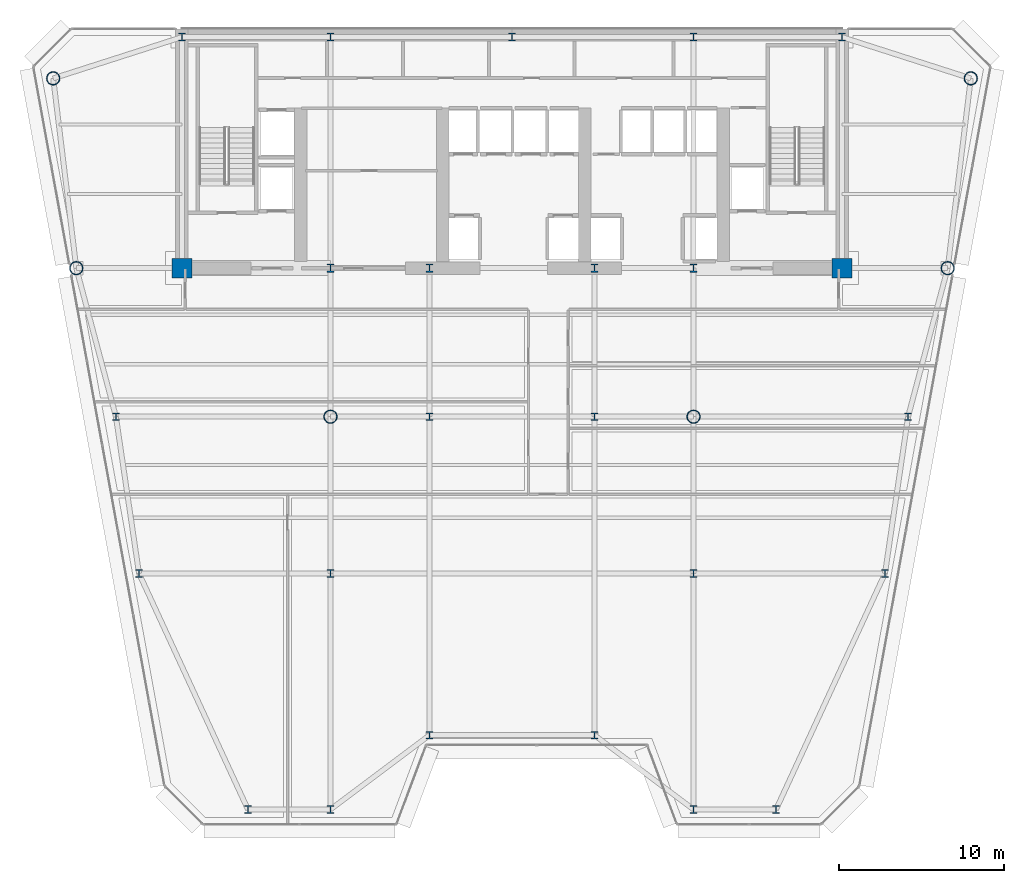
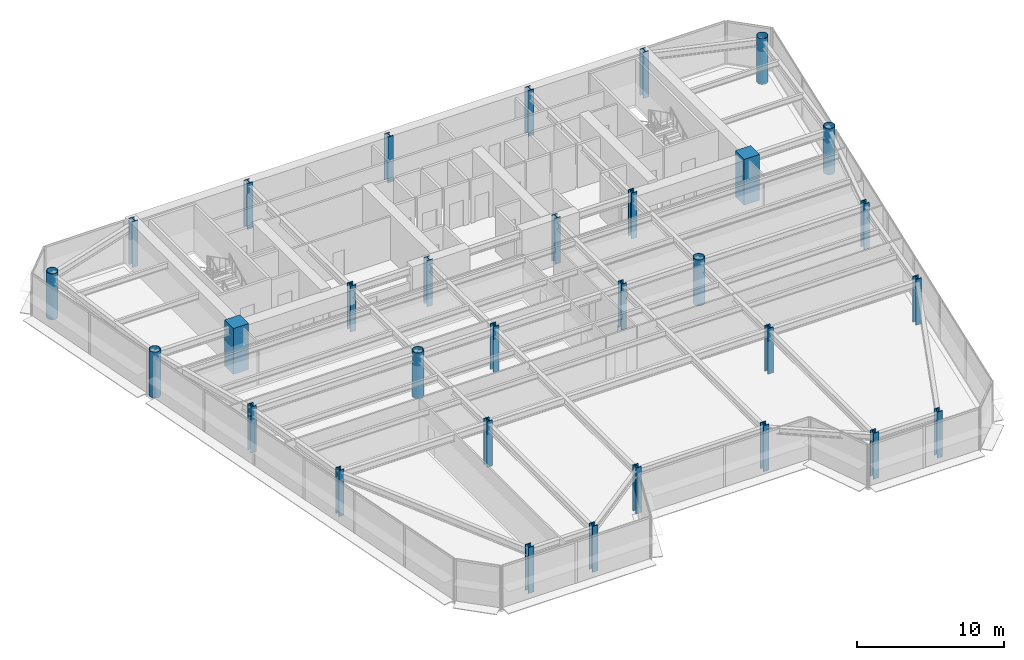
# One storey, part 1 of 17: 31 columns.
"""IFC4 building model written with IfcOpenShell, lengths in metres."""

import ifcopenshell
import ifcopenshell.guid

model = None  # the IFC model being written
_history = None  # IfcOwnerHistory: only IFC2X3 demands one
_inside = {}  # id of a spatial element -> (the spatial element, [elements in it])
_under = {}  # id of a project, library or spatial element -> (it, [spatial elements below it])
_declared = {}  # id of a project -> (the project, [libraries it declares])
_typed = {}  # id of a type object -> (the type object, [elements of that type])
_made_of = {}  # id of a material, layer set ... -> (it, [elements and type objects made of it])


def new_model(schema):
    """Start an empty IFC model of exactly this schema.

    Asked for "IFC4X3", IfcOpenShell would pick the latest addendum, in which some entities
    have other attributes; the version numbers below select the first issue.
    IFC2X3 requires an IfcOwnerHistory on every rooted entity: one is made here for all.
    """
    global model, _history
    if schema == "IFC4X3":
        model = ifcopenshell.file(schema_version=(4, 3, 0, 0))
    else:
        model = ifcopenshell.file(schema=schema)
    _inside.clear()
    _under.clear()
    _declared.clear()
    _typed.clear()
    _made_of.clear()
    _history = None
    if model.schema == "IFC2X3":
        org = make("IfcOrganization", Name="unknown")
        user = make(
            "IfcPersonAndOrganization",
            ThePerson=make("IfcPerson", FamilyName="unknown"),
            TheOrganization=org,
        )
        app = make(
            "IfcApplication",
            ApplicationDeveloper=org,
            Version="unknown",
            ApplicationFullName="unknown",
            ApplicationIdentifier="unknown",
        )
        _history = make(
            "IfcOwnerHistory",
            OwningUser=user,
            OwningApplication=app,
            ChangeAction="ADDED",
            CreationDate=0,
        )
    return model


def make(cls, **values):
    """One entity of the class cls with the attributes given. An attribute that is None is left unset."""
    return model.create_entity(
        cls, **{name: value for name, value in values.items() if value is not None}
    )


def rooted(cls, **values):
    """An entity with a GlobalId (a new one), such as an element, a storey or a relation."""
    return make(cls, GlobalId=ifcopenshell.guid.new(), OwnerHistory=_history, **values)


def si_unit(unit_type, name, prefix=None):
    """IfcSIUnit, for example si_unit("LENGTHUNIT", "METRE", prefix="MILLI")."""
    return make("IfcSIUnit", UnitType=unit_type, Prefix=prefix, Name=name)


def assignment(units):
    """IfcUnitAssignment: the units of a project."""
    return None if units is None else make("IfcUnitAssignment", Units=units)


def point(xyz):
    """IfcCartesianPoint."""
    return None if xyz is None else make("IfcCartesianPoint", Coordinates=xyz)


def direction(xyz):
    """IfcDirection."""
    return None if xyz is None else make("IfcDirection", DirectionRatios=xyz)


def frame(location, z_axis=None, x_axis=None):
    """IfcAxis2Placement3D, a coordinate frame: its origin and axes. An axis left out is left unset."""
    return make(
        "IfcAxis2Placement3D",
        Location=point(location),
        Axis=direction(z_axis),
        RefDirection=direction(x_axis),
    )


def frame_2d(location, x_axis=None):
    """IfcAxis2Placement2D, a coordinate frame in the plane: its origin and x axis."""
    return make(
        "IfcAxis2Placement2D", Location=point(location), RefDirection=direction(x_axis)
    )


def origin():
    """The frame at (0, 0, 0) with its axes left unset."""
    return frame((0.0, 0.0, 0.0))


def origin_2d():
    """The frame at (0, 0) in the plane with its x axis left unset."""
    return frame_2d((0.0, 0.0))


def place(relative_to, where):
    """IfcLocalPlacement: puts the frame where relative to a parent placement (None: the world)."""
    return make(
        "IfcLocalPlacement", PlacementRelTo=relative_to, RelativePlacement=where
    )


def context(
    kind, dimensions, precision=None, world=None, true_north=None, identifier=None
):
    """IfcGeometricRepresentationContext, for example the 3D "Model" context."""
    return make(
        "IfcGeometricRepresentationContext",
        ContextIdentifier=identifier,
        ContextType=kind,
        CoordinateSpaceDimension=dimensions,
        Precision=precision,
        WorldCoordinateSystem=world,
        TrueNorth=true_north,
    )


def subcontext(parent, identifier, kind, view, scale=None):
    """IfcGeometricRepresentationSubContext, for example "Body" below "Model"."""
    return make(
        "IfcGeometricRepresentationSubContext",
        ContextIdentifier=identifier,
        ContextType=kind,
        ParentContext=parent,
        TargetScale=scale,
        TargetView=view,
    )


def project(units=None, contexts=None):
    """IfcProject with its units and contexts."""
    return rooted(
        "IfcProject",
        Name="project",
        RepresentationContexts=contexts,
        UnitsInContext=assignment(units),
    )


def spatial(cls, under=None, at=None, **own):
    """A site, building, storey or space (cls), placed at a placement, below another one or the project."""
    s = rooted(cls, ObjectPlacement=at, **own)
    if under is not None:
        _under.setdefault(under.id(), (under, []))[1].append(s)
    return s


def profile(cls, at=None, kind="AREA", **sizes):
    """A parametric profile (cls). Its sizes go by their IFC names, for example OverallWidth=200.0."""
    return make(cls, ProfileType=kind, Position=at, **sizes)


def rectangle(**sizes):
    """IfcRectangleProfileDef."""
    return profile("IfcRectangleProfileDef", **sizes)


def hollow_circle(**sizes):
    """IfcCircleHollowProfileDef."""
    return profile("IfcCircleHollowProfileDef", **sizes)


def i_section(**sizes):
    """IfcIShapeProfileDef."""
    return profile("IfcIShapeProfileDef", **sizes)


def extrude(swept, where, along, depth):
    """IfcExtrudedAreaSolid: the profile swept, set in the frame where, extruded along a direction by depth."""
    return make(
        "IfcExtrudedAreaSolid",
        SweptArea=swept,
        Position=where,
        ExtrudedDirection=direction(along),
        Depth=depth,
    )


def shape(context_of_items, identifier, shape_type, items):
    """IfcShapeRepresentation: the items that make up one representation, for example the "Body"."""
    return make(
        "IfcShapeRepresentation",
        ContextOfItems=context_of_items,
        RepresentationIdentifier=identifier,
        RepresentationType=shape_type,
        Items=items,
    )


def source(mapping_origin, context_of_items, identifier, shape_type, items):
    """IfcRepresentationMap: a shape defined once, which mapped items show again and again."""
    return make(
        "IfcRepresentationMap",
        MappingOrigin=mapping_origin,
        MappedRepresentation=shape(context_of_items, identifier, shape_type, items),
    )


def transform(
    local_origin,
    x_axis=None,
    y_axis=None,
    z_axis=None,
    scale=None,
    scale2=None,
    scale3=None,
    uniform=True,
):
    """IfcCartesianTransformationOperator3D, or its non-uniform kind. x_axis, y_axis, z_axis: its Axis1, 2, 3."""
    if uniform:
        return make(
            "IfcCartesianTransformationOperator3D",
            Axis1=direction(x_axis),
            Axis2=direction(y_axis),
            LocalOrigin=point(local_origin),
            Scale=scale,
            Axis3=direction(z_axis),
        )
    return make(
        "IfcCartesianTransformationOperator3DnonUniform",
        Axis1=direction(x_axis),
        Axis2=direction(y_axis),
        LocalOrigin=point(local_origin),
        Scale=scale,
        Axis3=direction(z_axis),
        Scale2=scale2,
        Scale3=scale3,
    )


def mapped(mapping_source, mapping_target):
    """IfcMappedItem: shows the shape of a source again, moved by a transform."""
    return make(
        "IfcMappedItem", MappingSource=mapping_source, MappingTarget=mapping_target
    )


def material(Name=None, Category=None):
    """IfcMaterial."""
    return make("IfcMaterial", Name=Name, Category=Category)


def material_profile(
    of_material, cross_section, Name=None, Category=None, Priority=None
):
    """IfcMaterialProfile: a cross section and its material."""
    return make(
        "IfcMaterialProfile",
        Name=Name,
        Material=of_material,
        Profile=cross_section,
        Priority=Priority,
        Category=Category,
    )


def profile_set(profiles, Name=None, composite=None):
    """IfcMaterialProfileSet."""
    return make(
        "IfcMaterialProfileSet",
        Name=Name,
        MaterialProfiles=profiles,
        CompositeProfile=composite,
    )


def made_of(thing, what):
    """Note that an element or type object is made of a material, layer set ...; save() writes the relation."""
    if what is not None:
        _made_of.setdefault(what.id(), (what, []))[1].append(thing)
    return thing


def type_object(cls, material=None, **own):
    """A type object (cls), such as IfcWallType, which elements share."""
    return made_of(rooted(cls, **own), material)


def element(
    cls,
    number,
    at=None,
    inside=None,
    cuts=None,
    type_object=None,
    material=None,
    context=None,
    identifier="Body",
    shape_type=None,
    held_by="IfcProductDefinitionShape",
    body=None,
    shapes=None,
    **own,
):
    """One element of the class cls, such as IfcWall. Its Tag is "e" and its number.

    at: its placement. inside: the storey or other place that contains it. cuts: it is an
    opening in that element (IfcRelVoidsElement). A single representation is given by context,
    identifier, shape_type and body (its items); several are given by shapes. held_by: the class
    of the entity that holds the representations. save() writes the other relations.
    """
    e = rooted(cls, Tag="e%d" % number, ObjectPlacement=at, **own)
    if body is not None:
        shapes = [shape(context, identifier, shape_type, body)]
    if shapes is not None:
        e.Representation = make(held_by, Representations=shapes)
    if inside is not None:
        _inside.setdefault(inside.id(), (inside, []))[1].append(e)
    if cuts is not None:
        rooted(
            "IfcRelVoidsElement", RelatingBuildingElement=cuts, RelatedOpeningElement=e
        )
    if type_object is not None:
        _typed.setdefault(type_object.id(), (type_object, []))[1].append(e)
    return made_of(e, material)


def aggregate(whole, parts):
    """IfcRelAggregates: a whole, such as a stair, and the parts it consists of."""
    return rooted("IfcRelAggregates", RelatingObject=whole, RelatedObjects=parts)


def save(model, path):
    """Write the relations noted so far, then the file.

    IfcRelAggregates (storeys below a building ...), IfcRelContainedInSpatialStructure (elements
    in a storey), IfcRelDefinesByType, IfcRelAssociatesMaterial and IfcRelDeclares: one each for
    every whole, place, type object, material and project.
    """
    for whole, parts in _under.values():
        aggregate(whole, parts)
    for where, things in _inside.values():
        rooted(
            "IfcRelContainedInSpatialStructure",
            RelatedElements=things,
            RelatingStructure=where,
        )
    for kind, things in _typed.values():
        rooted("IfcRelDefinesByType", RelatedObjects=things, RelatingType=kind)
    for what, things in _made_of.values():
        rooted("IfcRelAssociatesMaterial", RelatedObjects=things, RelatingMaterial=what)
    for by, libraries in _declared.values():
        rooted("IfcRelDeclares", RelatingContext=by, RelatedDefinitions=libraries)
    model.write(path)


model = new_model("IFC4")

# Units and contexts
model_context = context("Model", 3, precision=1e-05, world=origin(), true_north=direction((0.0, 1.0)))
body_context = subcontext(model_context, "Body", "Model", "MODEL_VIEW")
ifc_project = project(units=[si_unit("LENGTHUNIT", "METRE"), si_unit("AREAUNIT", "SQUARE_METRE"), si_unit("VOLUMEUNIT", "CUBIC_METRE"), si_unit("PLANEANGLEUNIT", "RADIAN"), si_unit("MASSUNIT", "GRAM", prefix="KILO")], contexts=[model_context])

# Site, building, storey
site_placement = place(None, origin())
site = spatial("IfcSite", under=ifc_project, at=site_placement, CompositionType="ELEMENT")
building_placement = place(site_placement, origin())
building = spatial("IfcBuilding", under=site, at=building_placement, Name="Vaeldorn Concourse Tower", CompositionType="ELEMENT")
storey_placement = place(building_placement, frame((0.0, 0.0, 157.60009765625)))
storey = spatial("IfcBuildingStorey", under=building, at=storey_placement, Name="L40", CompositionType="ELEMENT", Elevation=157.60009765625)

# Columns
ifc_material_1 = material(Name="Concrete C50/60", Category="concrete")
ifc_material_profile_1 = material_profile(ifc_material_1, rectangle(XDim=1.199951171875, YDim=1.199951171875, at=origin_2d()), Name="RC 1200x1200")
ifc_profile_set_1 = profile_set([ifc_material_profile_1], Name="Concrete C50/60")
column_type_1 = type_object("IfcColumnType", Name="COL-RC1200", PredefinedType="COLUMN", material=ifc_profile_set_1)
shared_shape_1 = source(origin(), body_context, "Body", "SweptSolid", [
    extrude(rectangle(XDim=1.199951171875, YDim=1.199951171875, at=origin_2d()), origin(), (0.0, 0.0, 1.0), 3.7998046875),
])
for number, where, z_axis, x_axis, name in (
    (1, (14.0, 36.5, 0.0), (0.0, 0.0, 1.0), (1.0, 0.0, 0.0), "Column C-FC1 L40"),
    (2, (54.0, 36.5, 0.0), (0.0, 0.0, 1.0), (1.0, 0.0, 0.0), "Column C-FC6 L40"),
):
    element("IfcColumn", number, at=place(storey_placement, frame(where, z_axis=z_axis, x_axis=x_axis)), inside=storey, type_object=column_type_1, Name=name, PredefinedType="COLUMN", context=body_context, shape_type="MappedRepresentation", body=[
        mapped(shared_shape_1, transform((0.0, 0.0, 0.0), scale=1.0)),
    ])
ifc_material_2 = material(Name="Steel S460", Category="steel")
ifc_material_profile_2 = material_profile(ifc_material_2, i_section(OverallWidth=0.431884765625, OverallDepth=0.498046875, WebThickness=0.054931640625, FlangeThickness=0.068115234375, FilletRadius=0.014892578125, at=origin_2d()), Name="HD 400x744")
ifc_profile_set_2 = profile_set([ifc_material_profile_2], Name="Steel S460")
column_type_2 = type_object("IfcColumnType", Name="COL-HD744", PredefinedType="COLUMN", material=ifc_profile_set_2)
shared_shape_2 = source(origin(), body_context, "Body", "SweptSolid", [
    extrude(i_section(OverallWidth=0.431884765625, OverallDepth=0.498046875, WebThickness=0.054931640625, FlangeThickness=0.068115234375, FilletRadius=0.014892578125, at=origin_2d()), origin(), (0.0, 0.0, 1.0), 3.7998046875),
])
for number, where, z_axis, x_axis, name in (
    (3, (23.0, 36.5, 0.0), (0.0, 0.0, 1.0), (1.0, 0.0, 0.0), "Column C-FC2 L40"),
    (4, (29.0, 36.5, 0.0), (0.0, 0.0, 1.0), (1.0, 0.0, 0.0), "Column C-FC3 L40"),
    (5, (39.0, 36.5, 0.0), (0.0, 0.0, 1.0), (1.0, 0.0, 0.0), "Column C-FC4 L40"),
    (6, (45.0, 36.5, 0.0), (0.0, 0.0, 1.0), (1.0, 0.0, 0.0), "Column C-FC5 L40"),
    (7, (14.0, 50.5, 0.0), (0.0, 0.0, 1.0), (1.0, 0.0, 0.0), "Column C-HC1 L40"),
    (8, (23.0, 50.5, 0.0), (0.0, 0.0, 1.0), (1.0, 0.0, 0.0), "Column C-HC2 L40"),
    (9, (34.0, 50.5, 0.0), (0.0, 0.0, 1.0), (1.0, 0.0, 0.0), "Column C-HC3 L40"),
    (10, (45.0, 50.5, 0.0), (0.0, 0.0, 1.0), (1.0, 0.0, 0.0), "Column C-HC4 L40"),
    (11, (54.0, 50.5, 0.0), (0.0, 0.0, 1.0), (1.0, 0.0, 0.0), "Column C-HC5 L40"),
):
    element("IfcColumn", number, at=place(storey_placement, frame(where, z_axis=z_axis, x_axis=x_axis)), inside=storey, type_object=column_type_2, Name=name, PredefinedType="COLUMN", context=body_context, shape_type="MappedRepresentation", body=[
        mapped(shared_shape_2, transform((0.0, 0.0, 0.0), scale=1.0)),
    ])
ifc_material_profile_3 = material_profile(ifc_material_2, hollow_circle(Radius=0.406494140625, WallThickness=0.0400390625, at=origin_2d()), Name="CHS 813x40")
ifc_profile_set_3 = profile_set([ifc_material_profile_3], Name="Steel S460")
column_type_3 = type_object("IfcColumnType", Name="COL-CHS813", PredefinedType="COLUMN", material=ifc_profile_set_3)
shared_shape_3 = source(origin(), body_context, "Body", "SweptSolid", [
    extrude(hollow_circle(Radius=0.406494140625, WallThickness=0.0400390625, at=origin_2d()), origin(), (0.0, 0.0, 1.0), 3.7998046875),
])
for number, where, z_axis, x_axis, name in (
    (12, (6.199951171875, 48.0, 0.0), (0.0, 0.0, 1.0), (1.0, 0.0, 0.0), "Column C-NW1 L40"),
    (13, (7.60009765625, 36.5, 0.0), (0.0, 0.0, 1.0), (1.0, 0.0, 0.0), "Column C-NW2 L40"),
    (14, (61.800048828125, 48.0, 0.0), (0.0, 0.0, 1.0), (1.0, 0.0, 0.0), "Column C-NE1 L40"),
    (15, (60.39990234375, 36.5, 0.0), (0.0, 0.0, 1.0), (1.0, 0.0, 0.0), "Column C-NE2 L40"),
    (16, (23.0, 27.5, 0.0), (0.0, 0.0, 1.0), (1.0, 0.0, 0.0), "Column C-TW1 L40"),
    (17, (45.0, 27.5, 0.0), (0.0, 0.0, 1.0), (1.0, 0.0, 0.0), "Column C-TW4 L40"),
):
    element("IfcColumn", number, at=place(storey_placement, frame(where, z_axis=z_axis, x_axis=x_axis)), inside=storey, type_object=column_type_3, Name=name, PredefinedType="COLUMN", context=body_context, shape_type="MappedRepresentation", body=[
        mapped(shared_shape_3, transform((0.0, 0.0, 0.0), scale=1.0)),
    ])
ifc_material_profile_4 = material_profile(ifc_material_2, i_section(OverallWidth=0.424072265625, OverallDepth=0.47412109375, WebThickness=0.047119140625, FlangeThickness=0.06494140625, FilletRadius=0.014892578125, at=origin_2d()), Name="HD 400x634")
ifc_profile_set_4 = profile_set([ifc_material_profile_4], Name="Steel S460")
column_type_4 = type_object("IfcColumnType", Name="COL-HD634F", PredefinedType="COLUMN", material=ifc_profile_set_4)
shared_shape_4 = source(origin(), body_context, "Body", "SweptSolid", [
    extrude(i_section(OverallWidth=0.424072265625, OverallDepth=0.47412109375, WebThickness=0.047119140625, FlangeThickness=0.06494140625, FilletRadius=0.014892578125, at=origin_2d()), origin(), (0.0, 0.0, 1.0), 3.7998046875),
])
for number, where, z_axis, x_axis, name in (
    (18, (10.0, 27.5, 0.0), (0.0, 0.0, 1.0), (1.0, 0.0, 0.0), "Column C-FLW1 L40"),
    (19, (11.39990234375, 18.0, 0.0), (0.0, 0.0, 1.0), (1.0, 0.0, 0.0), "Column C-FLW2 L40"),
    (20, (58.0, 27.5, 0.0), (0.0, 0.0, 1.0), (1.0, 0.0, 0.0), "Column C-FLE1 L40"),
    (21, (56.60009765625, 18.0, 0.0), (0.0, 0.0, 1.0), (1.0, 0.0, 0.0), "Column C-FLE2 L40"),
):
    element("IfcColumn", number, at=place(storey_placement, frame(where, z_axis=z_axis, x_axis=x_axis)), inside=storey, type_object=column_type_4, Name=name, PredefinedType="COLUMN", context=body_context, shape_type="MappedRepresentation", body=[
        mapped(shared_shape_4, transform((0.0, 0.0, 0.0), scale=1.0)),
    ])
ifc_material_profile_5 = material_profile(ifc_material_2, i_section(OverallWidth=0.424072265625, OverallDepth=0.47412109375, WebThickness=0.047119140625, FlangeThickness=0.06494140625, FilletRadius=0.014892578125, at=origin_2d()), Name="HD 400x634")
ifc_profile_set_5 = profile_set([ifc_material_profile_5], Name="Steel S460")
column_type_5 = type_object("IfcColumnType", Name="COL-HD634T", PredefinedType="COLUMN", material=ifc_profile_set_5)
shared_shape_5 = source(origin(), body_context, "Body", "SweptSolid", [
    extrude(i_section(OverallWidth=0.424072265625, OverallDepth=0.47412109375, WebThickness=0.047119140625, FlangeThickness=0.06494140625, FilletRadius=0.014892578125, at=origin_2d()), origin(), (0.0, 0.0, 1.0), 3.7998046875),
])
for number, where, z_axis, x_axis, name in (
    (22, (29.0, 27.5, 0.0), (0.0, 0.0, 1.0), (1.0, 0.0, 0.0), "Column C-TW2 L40"),
    (23, (39.0, 27.5, 0.0), (0.0, 0.0, 1.0), (1.0, 0.0, 0.0), "Column C-TW3 L40"),
    (24, (23.0, 18.0, 0.0), (0.0, 0.0, 1.0), (1.0, 0.0, 0.0), "Column C-TW5 L40"),
    (25, (45.0, 18.0, 0.0), (0.0, 0.0, 1.0), (1.0, 0.0, 0.0), "Column C-TW6 L40"),
    (26, (18.0, 3.699951171875, 0.0), (0.0, 0.0, 1.0), (1.0, 0.0, 0.0), "Column C-SF1 L40"),
    (27, (23.0, 3.699951171875, 0.0), (0.0, 0.0, 1.0), (1.0, 0.0, 0.0), "Column C-SF2 L40"),
    (28, (29.0, 8.199951171875, 0.0), (0.0, 0.0, 1.0), (1.0, 0.0, 0.0), "Column C-SF3 L40"),
    (29, (39.0, 8.199951171875, 0.0), (0.0, 0.0, 1.0), (1.0, 0.0, 0.0), "Column C-SF4 L40"),
    (30, (45.0, 3.699951171875, 0.0), (0.0, 0.0, 1.0), (1.0, 0.0, 0.0), "Column C-SF5 L40"),
    (31, (50.0, 3.699951171875, 0.0), (0.0, 0.0, 1.0), (1.0, 0.0, 0.0), "Column C-SF6 L40"),
):
    element("IfcColumn", number, at=place(storey_placement, frame(where, z_axis=z_axis, x_axis=x_axis)), inside=storey, type_object=column_type_5, Name=name, PredefinedType="COLUMN", context=body_context, shape_type="MappedRepresentation", body=[
        mapped(shared_shape_5, transform((0.0, 0.0, 0.0), scale=1.0)),
    ])

save(model, "model.ifc")
